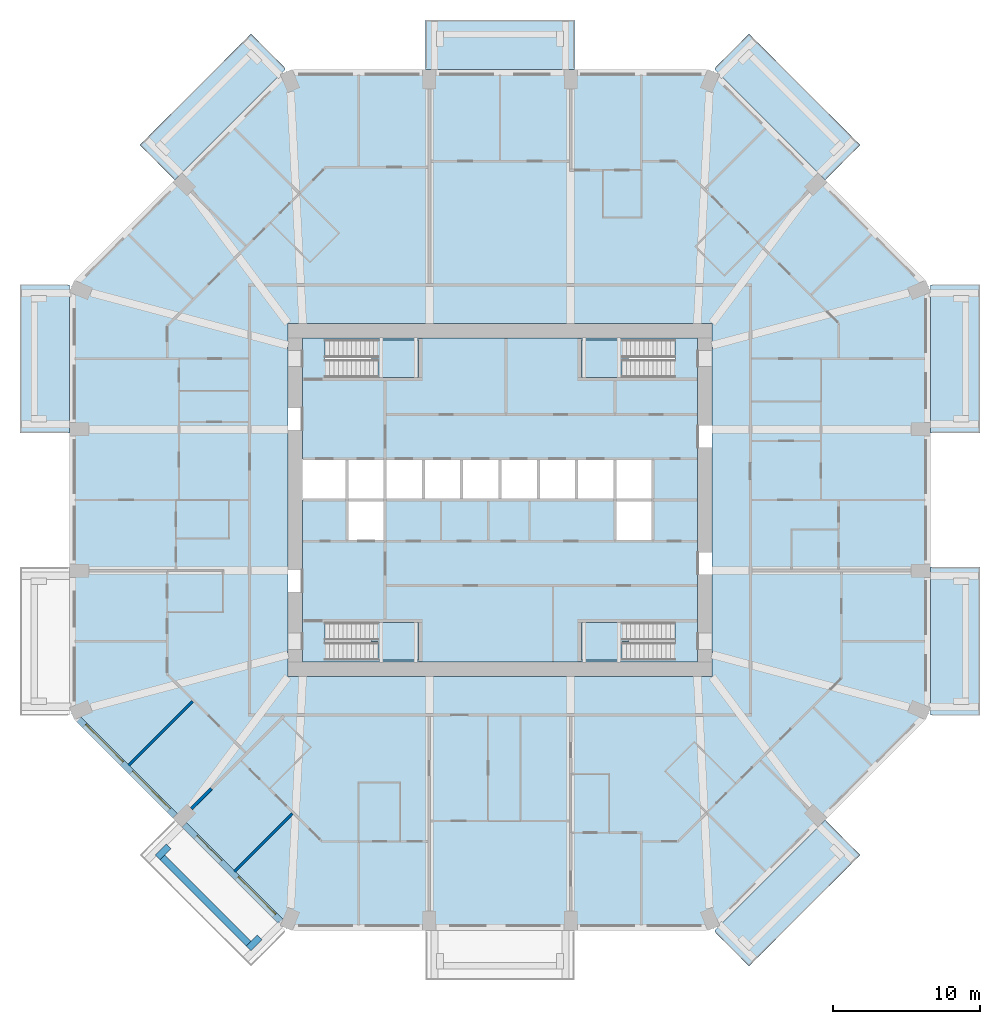
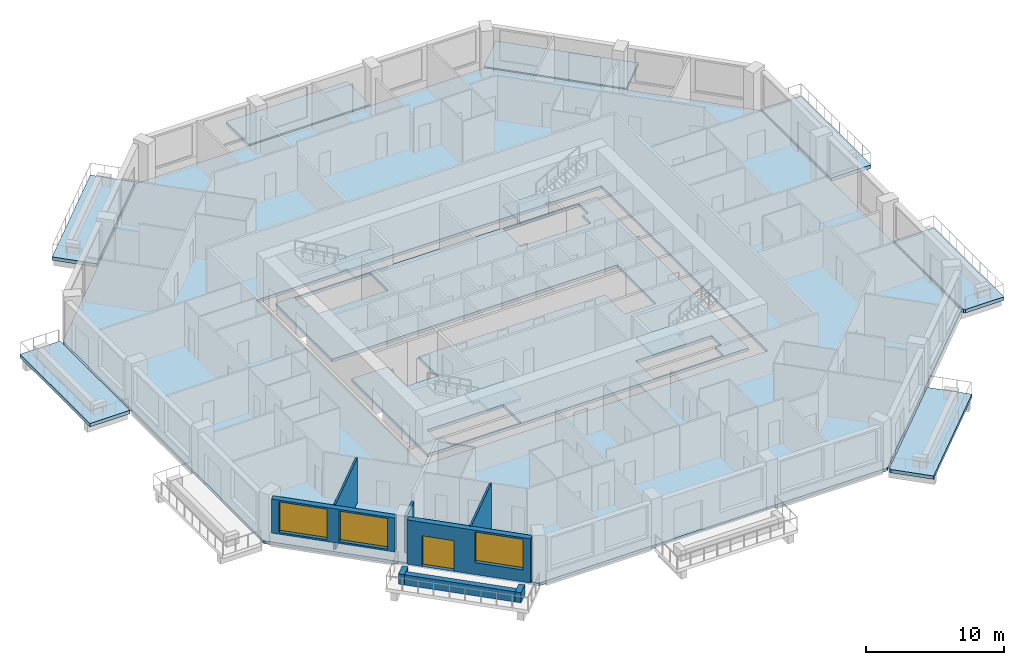
# One storey, part 2 of 13: 13 slabs, 8 walls, 3 windows, 1 door, 4 openings, 4 elements without a shape of their own.
"""IFC4 building model written with IfcOpenShell, lengths in metres."""

from ifc_helpers import new_model, si_unit, direction, frame, frame_2d, origin, place, context, subcontext, project, spatial, polyline, rectangle, outline, extrude, material, layer, layer_set, type_object, element, fill, aggregate, save


model = new_model("IFC4")

# Units and contexts
model_context = context("Model", 3, precision=1e-05, world=origin(), true_north=direction((0.0, 1.0)))
body_context = subcontext(model_context, "Body", "Model", "MODEL_VIEW")
ifc_project = project(units=[si_unit("LENGTHUNIT", "METRE"), si_unit("AREAUNIT", "SQUARE_METRE"), si_unit("VOLUMEUNIT", "CUBIC_METRE"), si_unit("PLANEANGLEUNIT", "RADIAN"), si_unit("MASSUNIT", "GRAM", prefix="KILO")], contexts=[model_context])

# Site, building, storey
site_placement = place(None, origin())
site = spatial("IfcSite", under=ifc_project, at=site_placement, CompositionType="ELEMENT")
building_placement = place(site_placement, origin())
building = spatial("IfcBuilding", under=site, at=building_placement, Name="Msitu Wima Residences", CompositionType="ELEMENT")
storey_placement = place(building_placement, frame((0.0, 0.0, 59.10009765625)))
storey = spatial("IfcBuildingStorey", under=building, at=storey_placement, Name="L13", CompositionType="ELEMENT", Elevation=59.10009765625)

# Slabs
ifc_material_1 = material(Name="Concrete C40/50", Category="concrete")
ifc_layer_1 = layer(ifc_material_1, 0.300048828125)
ifc_layer_set_1 = layer_set([ifc_layer_1], Name="Concrete C40/50")
slab_type_1 = type_object("IfcSlabType", Name="Balcony slab BS300", PredefinedType="FLOOR", material=ifc_layer_set_1)
slab_1_placement = place(storey_placement, frame((0.0, 0.0, -0.300048828125)))
element("IfcSlab", 1, at=slab_1_placement, inside=storey, type_object=slab_type_1, Name="Balcony E0 L13", PredefinedType="FLOOR", context=body_context, shape_type="SweptSolid", body=[
    extrude(outline(polyline([(29.25, -14.099365234375), (29.25, -14.099365234375), (29.25, -5.25), (29.25, -4.550048828125), (32.60009765625, -4.550048828125), (32.60009765625, -14.64990234375), (29.403564453125, -14.64990234375), (29.25, -14.58642578125), (29.25, -14.099365234375), (29.25, -14.099365234375)])), origin(), (0.0, 0.0, 1.0), 0.300048828125),
])
slab_2_placement = place(storey_placement, frame((0.0, 0.0, -0.300048828125)))
element("IfcSlab", 2, at=slab_2_placement, inside=storey, type_object=slab_type_1, Name="Balcony E2 L13", PredefinedType="FLOOR", context=body_context, shape_type="SweptSolid", body=[
    extrude(outline(polyline([(29.25, 14.099365234375), (29.25, 14.099365234375), (29.25, 14.099365234375), (29.25, 14.58642578125), (29.403564453125, 14.64990234375), (32.60009765625, 14.64990234375), (32.60009765625, 4.550048828125), (29.25, 4.550048828125), (29.25, 5.25), (29.25, 14.099365234375)])), origin(), (0.0, 0.0, 1.0), 0.300048828125),
])
slab_3_placement = place(storey_placement, frame((0.0, 0.0, -0.300048828125)))
element("IfcSlab", 3, at=slab_3_placement, inside=storey, type_object=slab_type_1, Name="Balcony NE1 L13", PredefinedType="FLOOR", context=body_context, shape_type="SweptSolid", body=[
    extrude(outline(polyline([(16.91015625, 31.663818359375), (24.4638671875, 24.1103515625), (22.094970703125, 21.741455078125), (14.58642578125, 29.25), (14.64990234375, 29.403564453125), (16.91015625, 31.663818359375)])), origin(), (0.0, 0.0, 1.0), 0.300048828125),
])
slab_4_placement = place(storey_placement, frame((0.0, 0.0, -0.300048828125)))
element("IfcSlab", 4, at=slab_4_placement, inside=storey, type_object=slab_type_1, Name="Balcony N1 L13", PredefinedType="FLOOR", context=body_context, shape_type="SweptSolid", body=[
    extrude(outline(polyline([(4.35009765625, 29.25), (-4.35009765625, 29.25), (-5.050048828125, 29.25), (-5.050048828125, 32.60009765625), (5.050048828125, 32.60009765625), (5.050048828125, 29.25), (4.35009765625, 29.25)])), origin(), (0.0, 0.0, 1.0), 0.300048828125),
])
slab_5_placement = place(storey_placement, frame((0.0, 0.0, -0.300048828125)))
element("IfcSlab", 5, at=slab_5_placement, inside=storey, type_object=slab_type_1, Name="Balcony NW0 L13", PredefinedType="FLOOR", context=body_context, shape_type="SweptSolid", body=[
    extrude(outline(polyline([(-24.4638671875, 24.1103515625), (-16.91015625, 31.663818359375), (-14.64990234375, 29.403564453125), (-14.58642578125, 29.25), (-22.094970703125, 21.741455078125), (-24.4638671875, 24.1103515625)])), origin(), (0.0, 0.0, 1.0), 0.300048828125),
])
slab_6_placement = place(storey_placement, frame((0.0, 0.0, -0.300048828125)))
element("IfcSlab", 6, at=slab_6_placement, inside=storey, type_object=slab_type_1, Name="Balcony W0 L13", PredefinedType="FLOOR", context=body_context, shape_type="SweptSolid", body=[
    extrude(outline(polyline([(-29.25, 14.099365234375), (-29.25, 14.099365234375), (-29.25, 5.25), (-29.25, 4.550048828125), (-32.60009765625, 4.550048828125), (-32.60009765625, 14.64990234375), (-29.403564453125, 14.64990234375), (-29.25, 14.58642578125), (-29.25, 14.099365234375), (-29.25, 14.099365234375)])), origin(), (0.0, 0.0, 1.0), 0.300048828125),
])
slab_7_placement = place(storey_placement, frame((0.0, 0.0, -0.300048828125)))
element("IfcSlab", 7, at=slab_7_placement, inside=storey, type_object=slab_type_1, Name="Balcony SE0 L13", PredefinedType="FLOOR", context=body_context, shape_type="SweptSolid", body=[
    extrude(outline(polyline([(24.4638671875, -24.1103515625), (16.91015625, -31.663818359375), (14.64990234375, -29.403564453125), (14.58642578125, -29.25), (22.094970703125, -21.741455078125), (24.4638671875, -24.1103515625)])), origin(), (0.0, 0.0, 1.0), 0.300048828125),
])
ifc_layer_2 = layer(ifc_material_1, 0.25)
ifc_layer_set_2 = layer_set([ifc_layer_2], Name="Concrete C40/50")
slab_type_2 = type_object("IfcSlabType", Name="Core floor CF250", PredefinedType="FLOOR", material=ifc_layer_set_2)
slab_8_placement = place(storey_placement, frame((0.0, 0.0, -0.25)))
element("IfcSlab", 8, at=slab_8_placement, inside=storey, type_object=slab_type_2, Name="Core floor", PredefinedType="FLOOR", context=body_context, shape_type="SweptSolid", body=[
    extrude(outline(polyline([(-13.39990234375, 11.0), (-13.39990234375, 2.800048828125), (-10.39990234375, 2.800048828125), (-7.800048828125, 2.800048828125), (-5.199951171875, 2.800048828125), (-2.60009765625, 2.800048828125), (0.0, 2.800048828125), (2.60009765625, 2.800048828125), (5.199951171875, 2.800048828125), (7.800048828125, 2.800048828125), (10.39990234375, 2.800048828125), (10.39990234375, 0.0), (10.39990234375, -2.800048828125), (7.800048828125, -2.800048828125), (7.800048828125, 0.0), (5.199951171875, 0.0), (2.60009765625, 0.0), (0.0, 0.0), (-2.60009765625, 0.0), (-5.199951171875, 0.0), (-7.800048828125, 0.0), (-7.800048828125, -2.800048828125), (-10.39990234375, -2.800048828125), (-10.39990234375, 0.0), (-13.39990234375, 0.0), (-13.39990234375, -11.0), (13.39990234375, -11.0), (13.39990234375, 11.0), (-13.39990234375, 11.0)]), holes=[polyline([(-11.375, -10.875), (-11.375, -9.675048828125), (-11.87451171875, -9.675048828125), (-11.87451171875, -8.324951171875), (-5.52490234375, -8.324951171875), (-5.52490234375, -10.875), (-11.375, -10.875)]), polyline([(-11.375, 9.52490234375), (-11.87451171875, 9.52490234375), (-11.87451171875, 10.875), (-5.52490234375, 10.875), (-5.52490234375, 8.324951171875), (-11.375, 8.324951171875), (-11.375, 9.52490234375)]), polyline([(11.375, -9.675048828125), (11.375, -10.875), (5.52490234375, -10.875), (5.52490234375, -8.324951171875), (11.87451171875, -8.324951171875), (11.87451171875, -9.675048828125), (11.375, -9.675048828125)]), polyline([(11.375, 9.52490234375), (11.375, 8.324951171875), (5.52490234375, 8.324951171875), (5.52490234375, 10.875), (11.87451171875, 10.875), (11.87451171875, 9.52490234375), (11.375, 9.52490234375)])]), origin(), (0.0, 0.0, 1.0), 0.25),
])
ifc_layer_3 = layer(ifc_material_1, 0.25)
ifc_layer_set_3 = layer_set([ifc_layer_3], Name="Concrete C40/50")
slab_type_3 = type_object("IfcSlabType", Name="PT flat slab 250 Concrete C40/50", PredefinedType="FLOOR", material=ifc_layer_set_3)
slab_9_placement = place(storey_placement, frame((0.0, 0.0, -0.25)))
element("IfcSlab", 9, at=slab_9_placement, inside=storey, type_object=slab_type_3, Name="Floor slab L13", PredefinedType="FLOOR", context=body_context, shape_type="SweptSolid", body=[
    extrude(outline(polyline([(29.10009765625, -14.524169921875), (14.524169921875, -29.10009765625), (-14.524169921875, -29.10009765625), (-29.10009765625, -14.524169921875), (-29.10009765625, 14.524169921875), (-14.524169921875, 29.10009765625), (14.524169921875, 29.10009765625), (29.10009765625, 14.524169921875), (29.10009765625, -14.524169921875)]), holes=[polyline([(-14.39990234375, -12.0), (14.39990234375, -12.0), (14.39990234375, 12.0), (-14.39990234375, 12.0), (-14.39990234375, -12.0)])]), origin(), (0.0, 0.0, 1.0), 0.25),
])

# Stair, slab
stair_type = type_object("IfcStairType", Name="Exit stair ES1615-120", PredefinedType="HALF_TURN_STAIR", material=ifc_material_1)
stair_1_placement = place(storey_placement, origin())
stair_1 = element("IfcStair", 10, at=stair_1_placement, inside=storey, type_object=stair_type, Name="Exit stair 1", PredefinedType="HALF_TURN_STAIR")
ifc_layer_4 = layer(ifc_material_1, 0.199951171875)
ifc_layer_set_4 = layer_set([ifc_layer_4], Name="Concrete C40/50")
slab_type_4 = type_object("IfcSlabType", Name="Stair landing SL200", PredefinedType="LANDING", material=ifc_layer_set_4)
slab_10_placement = place(storey_placement, frame((0.0, 0.0, 1.89990234375)))
slab_10 = element("IfcSlab", 11, at=slab_10_placement, type_object=slab_type_4, Name="S1 landing 1", PredefinedType="LANDING", context=body_context, shape_type="SweptSolid", body=[
    extrude(outline(polyline([(-5.52490234375, 8.324951171875), (-8.275390625, 8.324951171875), (-8.275390625, 9.60009765625), (-8.77490234375, 9.60009765625), (-8.77490234375, 10.875), (-5.52490234375, 10.875), (-5.52490234375, 8.324951171875)])), origin(), (0.0, 0.0, 1.0), 0.199951171875),
])
aggregate(stair_1, [slab_10])

stair_2_placement = place(storey_placement, origin())
stair_2 = element("IfcStair", 12, at=stair_2_placement, inside=storey, type_object=stair_type, Name="Exit stair 2", PredefinedType="HALF_TURN_STAIR")
slab_11_placement = place(storey_placement, frame((0.0, 0.0, 1.89990234375)))
slab_11 = element("IfcSlab", 13, at=slab_11_placement, type_object=slab_type_4, Name="S2 landing 1", PredefinedType="LANDING", context=body_context, shape_type="SweptSolid", body=[
    extrude(outline(polyline([(-5.52490234375, -10.875), (-8.275390625, -10.875), (-8.275390625, -9.60009765625), (-8.77490234375, -9.60009765625), (-8.77490234375, -8.324951171875), (-5.52490234375, -8.324951171875), (-5.52490234375, -10.875)])), origin(), (0.0, 0.0, 1.0), 0.199951171875),
])
aggregate(stair_2, [slab_11])

stair_3_placement = place(storey_placement, origin())
stair_3 = element("IfcStair", 14, at=stair_3_placement, inside=storey, type_object=stair_type, Name="Exit stair 3", PredefinedType="HALF_TURN_STAIR")
slab_12_placement = place(storey_placement, frame((0.0, 0.0, 1.89990234375)))
slab_12 = element("IfcSlab", 15, at=slab_12_placement, type_object=slab_type_4, Name="S3 landing 1", PredefinedType="LANDING", context=body_context, shape_type="SweptSolid", body=[
    extrude(outline(polyline([(5.52490234375, 8.324951171875), (8.275390625, 8.324951171875), (8.275390625, 9.60009765625), (8.77490234375, 9.60009765625), (8.77490234375, 10.875), (5.52490234375, 10.875), (5.52490234375, 8.324951171875)])), origin(), (0.0, 0.0, 1.0), 0.199951171875),
])
aggregate(stair_3, [slab_12])

stair_4_placement = place(storey_placement, origin())
stair_4 = element("IfcStair", 16, at=stair_4_placement, inside=storey, type_object=stair_type, Name="Exit stair 4", PredefinedType="HALF_TURN_STAIR")
slab_13_placement = place(storey_placement, frame((0.0, 0.0, 1.89990234375)))
slab_13 = element("IfcSlab", 17, at=slab_13_placement, type_object=slab_type_4, Name="S4 landing 1", PredefinedType="LANDING", context=body_context, shape_type="SweptSolid", body=[
    extrude(outline(polyline([(5.52490234375, -10.875), (8.275390625, -10.875), (8.275390625, -9.60009765625), (8.77490234375, -9.60009765625), (8.77490234375, -8.324951171875), (5.52490234375, -8.324951171875), (5.52490234375, -10.875)])), origin(), (0.0, 0.0, 1.0), 0.199951171875),
])
aggregate(stair_4, [slab_13])

# Walls
ifc_material_2 = material(Name="Facing brick")
ifc_layer_5 = layer(ifc_material_2, 0.06494140625, Name="Facing brick")
ifc_layer_6 = layer(ifc_material_1, 0.156005859375, Name="Concrete C40/50")
ifc_material_3 = material(Name="Waterproofing membrane")
ifc_layer_7 = layer(ifc_material_3, 0.00390625, Name="Waterproofing membrane")
ifc_material_4 = material(Name="Planting soil and planting")
ifc_layer_8 = layer(ifc_material_4, 0.22509765625, Name="Planting soil and planting")
ifc_layer_set_5 = layer_set([ifc_layer_5, ifc_layer_6, ifc_layer_7, ifc_layer_8], Name="Concrete C40/50")
wall_type_1 = type_object("IfcWallType", Name="Balcony planter PLANTER PL450", PredefinedType="USERDEFINED", material=ifc_layer_set_5)
wall_1_placement = place(storey_placement, frame((-22.92578125, -24.269287109375, 0.0), z_axis=(0.0, 0.0, 1.0), x_axis=(0.707106781187, -0.707106781187, 0.0)))
element("IfcWall", 18, at=wall_1_placement, inside=storey, type_object=wall_type_1, Name="Balcony planter SW1 L13", ObjectType="PLANTER", PredefinedType="USERDEFINED", context=body_context, shape_type="SweptSolid", body=[
    extrude(rectangle(XDim=8.2822265625, YDim=0.449951171875, at=frame_2d((4.14111328125, 0.0))), origin(), (0.0, 0.0, 1.0), 0.89990234375),
])
for number, where, z_axis, x_axis, name in (
    (19, (-22.50146484375, -23.52685546875, 0.0), (0.0, 0.0, 1.0), (-0.707223014731, -0.706990528533, 0.0), "Balcony planter SW1 L13"),
    (20, (-16.326904296875, -29.70166015625, 0.0), (0.0, 0.0, 1.0), (-0.707106781187, -0.707106781187, 0.0), "Balcony planter SW1 L13"),
):
    element("IfcWall", number, at=place(storey_placement, frame(where, z_axis=z_axis, x_axis=x_axis)), inside=storey, type_object=wall_type_1, Name=name, ObjectType="PLANTER", PredefinedType="USERDEFINED", context=body_context, shape_type="SweptSolid", body=[
        extrude(rectangle(XDim=1.050048828125, YDim=0.449951171875, at=frame_2d((0.52490234375, 0.0))), origin(), (0.0, 0.0, 1.0), 0.89990234375),
    ])

# Wall, openings, windows
ifc_material_5 = material(Name="Brick (red buff mix)", Category="masonry")
ifc_layer_9 = layer(ifc_material_5, 0.449951171875)
ifc_layer_set_6 = layer_set([ifc_layer_9], Name="Brick (red buff mix)")
wall_type_2 = type_object("IfcWallType", Name="Brick infill wall BW450", PredefinedType="SOLIDWALL", material=ifc_layer_set_6)
wall_2_placement = place(storey_placement, frame((-28.61474609375, -14.903564453125, 0.89990234375), z_axis=(0.0, 0.0, 1.0), x_axis=(0.707106781187, -0.707106781187, 0.0)))
wall_2 = element("IfcWall", 21, at=wall_2_placement, inside=storey, type_object=wall_type_2, Name="Brick infill wall L13 SW0", PredefinedType="SOLIDWALL", context=body_context, shape_type="SweptSolid", body=[
    extrude(rectangle(XDim=9.2451171875, YDim=0.449951171875, at=frame_2d((4.62255859375, 0.0))), origin(), (0.0, 0.0, 1.0), 3.0),
])
opening_1_placement = place(wall_2_placement, frame((0.572509765625, 0.0, 0.14990234375)))
opening_1 = element("IfcOpeningElement", 22, at=opening_1_placement, cuts=wall_2, Name="Opening W13-15.024", PredefinedType="OPENING", context=body_context, shape_type="SweptSolid", body=[
    extrude(rectangle(XDim=3.60009765625, YDim=2.699951171875, at=frame_2d((1.800048828125, 1.35009765625))), frame((0.0, 0.23486328125, 0.0), z_axis=(0.0, -1.0, 0.0), x_axis=(1.0, 0.0, 0.0)), (0.0, 0.0, 1.0), 0.469970703125),
])
opening_2_placement = place(wall_2_placement, frame((5.072509765625, 0.0, 0.14990234375)))
opening_2 = element("IfcOpeningElement", 23, at=opening_2_placement, cuts=wall_2, Name="Opening W13-15.025", PredefinedType="OPENING", context=body_context, shape_type="SweptSolid", body=[
    extrude(rectangle(XDim=3.60009765625, YDim=2.699951171875, at=frame_2d((1.800048828125, 1.35009765625))), frame((0.0, 0.23486328125, 0.0), z_axis=(0.0, -1.0, 0.0), x_axis=(1.0, 0.0, 0.0)), (0.0, 0.0, 1.0), 0.469970703125),
])
ifc_material_6 = material(Name="Anodised aluminium, bronze finish, clear low-emissivity double glazing", Category="aluminium")
window_type = type_object("IfcWindowType", Name="Window W3600x2700", PartitioningType="DOUBLE_PANEL_VERTICAL", PredefinedType="WINDOW", material=ifc_material_6)
window_1_placement = place(opening_1_placement, origin())
window_1 = element("IfcWindow", 24, at=window_1_placement, inside=storey, type_object=window_type, Name="Window L13 SW0.1", OverallHeight=2.699951171875, OverallWidth=3.60009765625, PartitioningType="SINGLE_PANEL", PredefinedType="WINDOW", context=body_context, shape_type="SweptSolid", body=[
    extrude(rectangle(XDim=3.60009765625, YDim=2.699951171875, at=frame_2d((1.800048828125, 1.35009765625))), frame((0.0, 0.135009765625, 0.0), z_axis=(0.0, -1.0, 0.0), x_axis=(1.0, 0.0, 0.0)), (0.0, 0.0, 1.0), 0.06005859375),
])
fill(opening_1, window_1)
window_2_placement = place(opening_2_placement, origin())
window_2 = element("IfcWindow", 25, at=window_2_placement, inside=storey, type_object=window_type, Name="Window L13 SW0.2", OverallHeight=2.699951171875, OverallWidth=3.60009765625, PartitioningType="SINGLE_PANEL", PredefinedType="WINDOW", context=body_context, shape_type="SweptSolid", body=[
    extrude(rectangle(XDim=3.60009765625, YDim=2.699951171875, at=frame_2d((1.800048828125, 1.35009765625))), frame((0.0, 0.135009765625, 0.0), z_axis=(0.0, -1.0, 0.0), x_axis=(1.0, 0.0, 0.0)), (0.0, 0.0, 1.0), 0.06005859375),
])
fill(opening_2, window_2)

# Wall, openings, door, window
wall_3_placement = place(storey_placement, frame((-21.44091796875, -22.077392578125, 0.0), z_axis=(0.0, 0.0, 1.0), x_axis=(0.707106781187, -0.707106781187, 0.0)))
wall_3 = element("IfcWall", 26, at=wall_3_placement, inside=storey, type_object=wall_type_2, Name="Brick infill wall L13 SW1", PredefinedType="SOLIDWALL", context=body_context, shape_type="SweptSolid", body=[
    extrude(rectangle(XDim=9.2451171875, YDim=0.449951171875, at=frame_2d((4.62255859375, 0.0))), origin(), (0.0, 0.0, 1.0), 3.89990234375),
])
opening_3_placement = place(wall_3_placement, frame((1.111328125, 0.0, 0.0)))
opening_3 = element("IfcOpeningElement", 27, at=opening_3_placement, cuts=wall_3, Name="Opening D13-15.008", PredefinedType="OPENING", context=body_context, shape_type="SweptSolid", body=[
    extrude(rectangle(XDim=2.39990234375, YDim=2.699951171875, at=frame_2d((1.199951171875, 1.35009765625))), frame((0.0, 0.23486328125, 0.0), z_axis=(0.0, -1.0, 0.0), x_axis=(1.0, 0.0, 0.0)), (0.0, 0.0, 1.0), 0.469970703125),
])
opening_4_placement = place(wall_3_placement, frame((5.072509765625, 0.0, 1.050048828125)))
opening_4 = element("IfcOpeningElement", 28, at=opening_4_placement, cuts=wall_3, Name="Opening W13-15.026", PredefinedType="OPENING", context=body_context, shape_type="SweptSolid", body=[
    extrude(rectangle(XDim=3.60009765625, YDim=2.699951171875, at=frame_2d((1.800048828125, 1.35009765625))), frame((0.0, 0.23486328125, 0.0), z_axis=(0.0, -1.0, 0.0), x_axis=(1.0, 0.0, 0.0)), (0.0, 0.0, 1.0), 0.469970703125),
])
door_type = type_object("IfcDoorType", Name="Balcony door D2400x2700", OperationType="SLIDING_TO_LEFT", PredefinedType="DOOR", material=ifc_material_6)
door_placement = place(opening_3_placement, origin())
door = element("IfcDoor", 29, at=door_placement, inside=storey, type_object=door_type, Name="Balcony door L13 SW1", OperationType="SINGLE_SWING_LEFT", OverallHeight=2.699951171875, OverallWidth=2.39990234375, PredefinedType="DOOR", context=body_context, shape_type="SweptSolid", body=[
    extrude(rectangle(XDim=2.39990234375, YDim=2.699951171875, at=frame_2d((1.199951171875, 1.35009765625))), frame((0.0, 0.1298828125, 0.0), z_axis=(0.0, -1.0, 0.0), x_axis=(1.0, 0.0, 0.0)), (0.0, 0.0, 1.0), 0.050048828125),
])
fill(opening_3, door)
window_3_placement = place(opening_4_placement, origin())
window_3 = element("IfcWindow", 30, at=window_3_placement, inside=storey, type_object=window_type, Name="Window L13 SW1.2", OverallHeight=2.699951171875, OverallWidth=3.60009765625, PartitioningType="SINGLE_PANEL", PredefinedType="WINDOW", context=body_context, shape_type="SweptSolid", body=[
    extrude(rectangle(XDim=3.60009765625, YDim=2.699951171875, at=frame_2d((1.800048828125, 1.35009765625))), frame((0.0, 0.135009765625, 0.0), z_axis=(0.0, -1.0, 0.0), x_axis=(1.0, 0.0, 0.0)), (0.0, 0.0, 1.0), 0.06005859375),
])
fill(opening_4, window_3)

# Walls
ifc_material_7 = material(Name="Plaster")
ifc_layer_10 = layer(ifc_material_7, 0.011962890625, Name="Plaster")
ifc_material_8 = material(Name="Concrete blockwork", Category="masonry")
ifc_layer_11 = layer(ifc_material_8, 0.1259765625, Name="Concrete blockwork")
ifc_layer_12 = layer(ifc_material_7, 0.011962890625, Name="Plaster")
ifc_layer_set_7 = layer_set([ifc_layer_10, ifc_layer_11, ifc_layer_12], Name="Concrete blockwork")
wall_type_3 = type_object("IfcWallType", Name="Partition PW150", PredefinedType="PARTITIONING", material=ifc_layer_set_7)
wall_4_placement = place(storey_placement, frame((-25.2177734375, -18.017578125, 0.0), z_axis=(0.0, 0.0, 1.0), x_axis=(0.707126629519, 0.707086932297, 0.0)))
element("IfcWall", 31, at=wall_4_placement, inside=storey, type_object=wall_type_3, Name="Partition", PredefinedType="PARTITIONING", context=body_context, shape_type="SweptSolid", body=[
    extrude(rectangle(XDim=6.150146484375, YDim=0.14990234375, at=frame_2d((3.0751953125, 0.0))), origin(), (0.0, 0.0, 1.0), 3.949951171875),
])
wall_5_placement = place(storey_placement, frame((-18.038818359375, -25.23876953125, 0.0), z_axis=(0.0, 0.0, 1.0), x_axis=(0.707106781187, 0.707106781187, 0.0)))
element("IfcWall", 32, at=wall_5_placement, inside=storey, type_object=wall_type_3, Name="Partition", PredefinedType="PARTITIONING", context=body_context, shape_type="SweptSolid", body=[
    extrude(rectangle(XDim=5.579833984375, YDim=0.14990234375, at=frame_2d((2.7900390625, 0.0))), origin(), (0.0, 0.0, 1.0), 3.949951171875),
])
ifc_layer_13 = layer(ifc_material_7, 0.011962890625, Name="Plaster")
ifc_material_9 = material(Name="Dense concrete blockwork", Category="masonry")
ifc_layer_14 = layer(ifc_material_9, 0.176025390625, Name="Dense concrete blockwork")
ifc_layer_15 = layer(ifc_material_7, 0.011962890625, Name="Plaster")
ifc_layer_set_8 = layer_set([ifc_layer_13, ifc_layer_14, ifc_layer_15], Name="Dense concrete blockwork")
wall_type_4 = type_object("IfcWallType", Name="Party wall PW200", PredefinedType="PARTITIONING", material=ifc_layer_set_8)
wall_6_placement = place(storey_placement, frame((-20.963623046875, -20.963623046875, 0.0), z_axis=(0.0, 0.0, 1.0), x_axis=(0.707106781187, 0.707106781187, 0.0)))
element("IfcWall", 33, at=wall_6_placement, inside=storey, type_object=wall_type_4, Name="Party wall", PredefinedType="PARTITIONING", context=body_context, shape_type="SweptSolid", body=[
    extrude(rectangle(XDim=1.92041015625, YDim=0.199951171875, at=frame_2d((0.960205078125, 0.0))), origin(), (0.0, 0.0, 1.0), 3.25),
])

save(model, "model.ifc")
